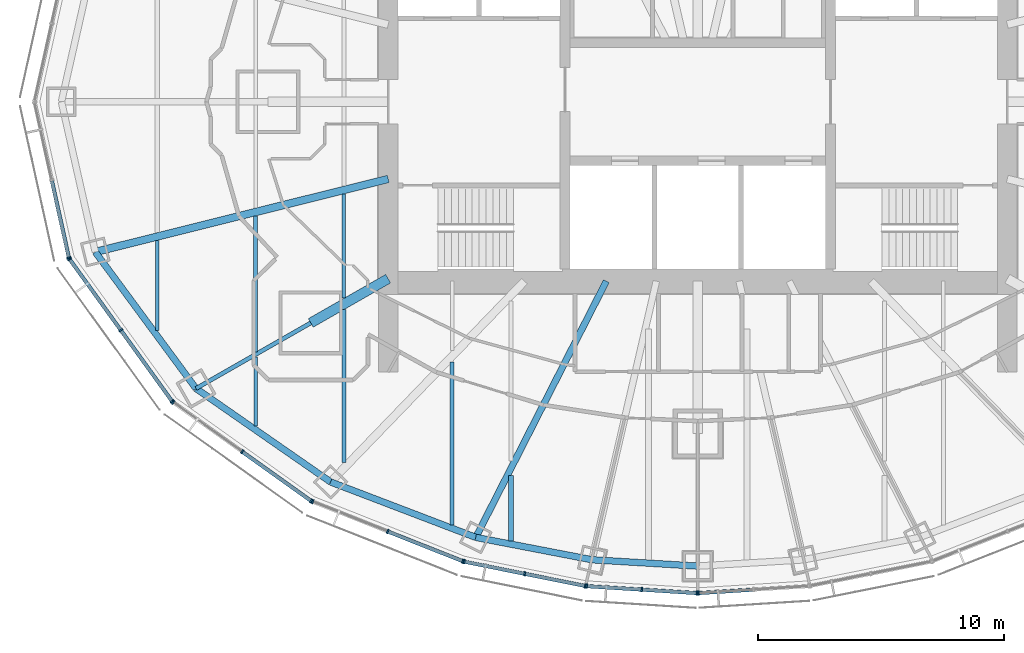
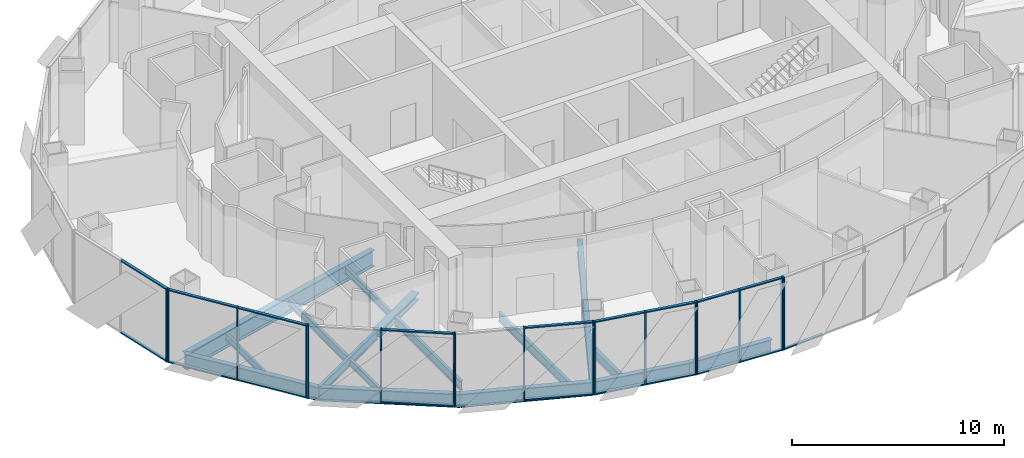
# One storey, part 2 of 19: 36 members, 16 beams, 7 elements without a shape of their own.
"""IFC4 building model written with IfcOpenShell, lengths in metres."""

from ifc_helpers import new_model, si_unit, direction, frame, origin, origin_2d, place, context, subcontext, project, spatial, rectangle, i_section, extrude, material, material_profile, profile_set, type_object, element, aggregate, save


model = new_model("IFC4")

# Units and contexts
model_context = context("Model", 3, precision=1e-05, world=origin(), true_north=direction((0.0, 1.0)))
body_context = subcontext(model_context, "Body", "Model", "MODEL_VIEW")
ifc_project = project(units=[si_unit("LENGTHUNIT", "METRE"), si_unit("AREAUNIT", "SQUARE_METRE"), si_unit("VOLUMEUNIT", "CUBIC_METRE"), si_unit("PLANEANGLEUNIT", "RADIAN"), si_unit("MASSUNIT", "GRAM", prefix="KILO")], contexts=[model_context])

# Site, building, storey
site_placement = place(None, origin())
site = spatial("IfcSite", under=ifc_project, at=site_placement, CompositionType="ELEMENT")
building_placement = place(site_placement, origin())
building = spatial("IfcBuilding", under=site, at=building_placement, Name="Lantaw Convention Tower", CompositionType="ELEMENT")
storey_placement = place(building_placement, frame((0.0, 0.0, 245.199951171875)))
storey = spatial("IfcBuildingStorey", under=building, at=storey_placement, Name="L57", CompositionType="ELEMENT", Elevation=245.199951171875)

# Beams
ifc_material_1 = material(Name="Steel ASTM A992", Category="steel")
ifc_material_profile_1 = material_profile(ifc_material_1, i_section(OverallWidth=0.2666015625, OverallDepth=0.76953125, WebThickness=0.015625, FlangeThickness=0.025390625, FilletRadius=0.0126953125, at=origin_2d()), Name="W30X132")
ifc_profile_set_1 = profile_set([ifc_material_profile_1], Name="Steel ASTM A992")
beam_type_1 = type_object("IfcBeamType", Name="Beam E W30X132", PredefinedType="SPANDREL", material=ifc_profile_set_1)
beam_1_placement = place(storey_placement, frame((-24.52197265625, -6.114013671875, -0.53466796875), z_axis=(0.593639188853, -0.804731329984, 0.0), x_axis=(0.804731329984, 0.593639188853, 0.0)))
element("IfcBeam", 1, at=beam_1_placement, inside=storey, type_object=beam_type_1, Name="Edge beam 14", PredefinedType="SPANDREL", context=body_context, shape_type="SweptSolid", body=[
    extrude(i_section(OverallWidth=0.2666015625, OverallDepth=0.76953125, WebThickness=0.015625, FlangeThickness=0.025390625, FilletRadius=0.0126953125, at=origin_2d()), origin(), (0.0, 0.0, 1.0), 6.904541015625),
])
beam_2_placement = place(storey_placement, frame((-20.423095703125, -11.67041015625, -0.53466796875), z_axis=(0.82135329406, -0.570419815869, 0.0), x_axis=(0.570419815869, 0.82135329406, 0.0)))
element("IfcBeam", 2, at=beam_2_placement, inside=storey, type_object=beam_type_1, Name="Edge beam 15", PredefinedType="SPANDREL", context=body_context, shape_type="SweptSolid", body=[
    extrude(i_section(OverallWidth=0.2666015625, OverallDepth=0.76953125, WebThickness=0.015625, FlangeThickness=0.025390625, FilletRadius=0.0126953125, at=origin_2d()), origin(), (0.0, 0.0, 1.0), 6.67041015625),
])
beam_3_placement = place(storey_placement, frame((-14.9443359375, -15.475341796875, -0.53466796875), z_axis=(0.934234988, -0.356658081637, 0.0), x_axis=(0.356658081637, 0.934234988, 0.0)))
element("IfcBeam", 3, at=beam_3_placement, inside=storey, type_object=beam_type_1, Name="Edge beam 16", PredefinedType="SPANDREL", context=body_context, shape_type="SweptSolid", body=[
    extrude(i_section(OverallWidth=0.2666015625, OverallDepth=0.76953125, WebThickness=0.015625, FlangeThickness=0.025390625, FilletRadius=0.0126953125, at=origin_2d()), origin(), (0.0, 0.0, 1.0), 6.32568359375),
])
beam_4_placement = place(storey_placement, frame((-9.03466796875, -17.7314453125, -0.53466796875), z_axis=(0.981972091702, -0.189025953556, 0.0), x_axis=(0.189025953556, 0.981972091702, 0.0)))
element("IfcBeam", 4, at=beam_4_placement, inside=storey, type_object=beam_type_1, Name="Edge beam 17", PredefinedType="SPANDREL", context=body_context, shape_type="SweptSolid", body=[
    extrude(i_section(OverallWidth=0.2666015625, OverallDepth=0.76953125, WebThickness=0.015625, FlangeThickness=0.025390625, FilletRadius=0.0126953125, at=origin_2d()), origin(), (0.0, 0.0, 1.0), 4.817626953125),
])
beam_5_placement = place(storey_placement, frame((-4.303955078125, -18.64208984375, -0.53466796875), z_axis=(0.998210730897, -0.059794119452, 0.0), x_axis=(0.059794119452, 0.998210730897, 0.0)))
element("IfcBeam", 5, at=beam_5_placement, inside=storey, type_object=beam_type_1, Name="Edge beam 18", PredefinedType="SPANDREL", context=body_context, shape_type="SweptSolid", body=[
    extrude(i_section(OverallWidth=0.2666015625, OverallDepth=0.76953125, WebThickness=0.015625, FlangeThickness=0.025390625, FilletRadius=0.0126953125, at=origin_2d()), origin(), (0.0, 0.0, 1.0), 4.311767578125),
])
ifc_material_profile_2 = material_profile(ifc_material_1, i_section(OverallWidth=0.1650390625, OverallDepth=0.52587890625, WebThickness=0.0087890625, FlangeThickness=0.011474609375, FilletRadius=0.0126953125, at=origin_2d()), Name="W21X44")
ifc_profile_set_2 = profile_set([ifc_material_profile_2], Name="Steel ASTM A992")
beam_type_2 = type_object("IfcBeamType", Name="Beam G W21X44", PredefinedType="BEAM", material=ifc_profile_set_2)
beam_6_placement = place(storey_placement, frame((-15.75, -9.0, -0.412841796875), z_axis=(-0.868237559289, -0.496148708192, 0.0), x_axis=(0.496148708192, -0.868237559289, 0.0)))
element("IfcBeam", 6, at=beam_6_placement, inside=storey, type_object=beam_type_2, Name="Floor girder on ray 15", PredefinedType="BEAM", context=body_context, shape_type="SweptSolid", body=[
    extrude(i_section(OverallWidth=0.1650390625, OverallDepth=0.52587890625, WebThickness=0.0087890625, FlangeThickness=0.011474609375, FilletRadius=0.0126953125, at=origin_2d()), origin(), (0.0, 0.0, 1.0), 5.38232421875),
])
ifc_material_profile_3 = material_profile(ifc_material_1, i_section(OverallWidth=0.2666015625, OverallDepth=0.7568359375, WebThickness=0.013916015625, FlangeThickness=0.019287109375, FilletRadius=0.0126953125, at=origin_2d()), Name="W30X108")
ifc_profile_set_3 = profile_set([ifc_material_profile_3], Name="Steel ASTM A992")
beam_type_3 = type_object("IfcBeamType", Name="Beam G W30X108", PredefinedType="BEAM", material=ifc_profile_set_3)
beam_7_placement = place(storey_placement, frame((-3.719482421875, -7.300048828125, -0.5283203125), z_axis=(-0.4539988787, -0.891002254845, 0.0), x_axis=(0.891002254845, -0.4539988787, 0.0)))
element("IfcBeam", 7, at=beam_7_placement, inside=storey, type_object=beam_type_3, Name="Floor girder on ray 17", PredefinedType="BEAM", context=body_context, shape_type="SweptSolid", body=[
    extrude(i_section(OverallWidth=0.2666015625, OverallDepth=0.7568359375, WebThickness=0.013916015625, FlangeThickness=0.019287109375, FilletRadius=0.0126953125, at=origin_2d()), origin(), (0.0, 0.0, 1.0), 11.70751953125),
])
ifc_material_profile_4 = material_profile(ifc_material_1, i_section(OverallWidth=0.307373046875, OverallDepth=0.9423828125, WebThickness=0.022216796875, FlangeThickness=0.039794921875, FilletRadius=0.0126953125, at=origin_2d()), Name="W36X232")
ifc_profile_set_4 = profile_set([ifc_material_profile_4], Name="Steel ASTM A992")
beam_type_4 = type_object("IfcBeamType", Name="Beam G W36X232", PredefinedType="BEAM", material=ifc_profile_set_4)
beam_8_placement = place(storey_placement, frame((-12.60009765625, -3.1416015625, -0.62109375), z_axis=(-0.970296589314, -0.241918434119, 0.0), x_axis=(0.241918434119, -0.970296589314, 0.0)))
element("IfcBeam", 8, at=beam_8_placement, inside=storey, type_object=beam_type_4, Name="Floor girder on ray 14", PredefinedType="BEAM", context=body_context, shape_type="SweptSolid", body=[
    extrude(i_section(OverallWidth=0.307373046875, OverallDepth=0.9423828125, WebThickness=0.022216796875, FlangeThickness=0.039794921875, FilletRadius=0.0126953125, at=origin_2d()), origin(), (0.0, 0.0, 1.0), 12.286865234375),
])
ifc_material_profile_5 = material_profile(ifc_material_1, i_section(OverallWidth=0.40380859375, OverallDepth=0.406494140625, WebThickness=0.027099609375, FlangeThickness=0.043701171875, FilletRadius=0.01513671875, at=origin_2d()), Name="W14X233")
ifc_profile_set_5 = profile_set([ifc_material_profile_5], Name="Steel ASTM A992")
beam_type_5 = type_object("IfcBeamType", Name="Beam GM W14X233", PredefinedType="BEAM", material=ifc_profile_set_5)
beam_9_placement = place(storey_placement, frame((-12.60009765625, -7.199951171875, -0.353271484375), z_axis=(-0.868230718294, -0.496160679428, 0.0), x_axis=(0.496160679428, -0.868230718294, 0.0)))
element("IfcBeam", 9, at=beam_9_placement, inside=storey, type_object=beam_type_5, Name="Core link beam on ray 15", PredefinedType="BEAM", context=body_context, shape_type="SweptSolid", body=[
    extrude(i_section(OverallWidth=0.40380859375, OverallDepth=0.406494140625, WebThickness=0.027099609375, FlangeThickness=0.043701171875, FilletRadius=0.01513671875, at=origin_2d()), origin(), (0.0, 0.0, 1.0), 3.6279296875),
])
ifc_material_profile_6 = material_profile(ifc_material_1, i_section(OverallWidth=0.140380859375, OverallDepth=0.40380859375, WebThickness=0.007080078125, FlangeThickness=0.01123046875, FilletRadius=0.01025390625, at=origin_2d()), Name="W16X31")
ifc_profile_set_6 = profile_set([ifc_material_profile_6], Name="Steel ASTM A992")
beam_type_6 = type_object("IfcBeamType", Name="Beam J W16X31", PredefinedType="JOIST", material=ifc_profile_set_6)
beam_10_placement = place(storey_placement, frame((-22.0, -9.30810546875, -0.351806640625), z_axis=(0.0, 1.0, 0.0), x_axis=(-1.0, 0.0, 0.0)))
element("IfcBeam", 10, at=beam_10_placement, inside=storey, type_object=beam_type_6, Name="Floor joist", PredefinedType="JOIST", context=body_context, shape_type="SweptSolid", body=[
    extrude(i_section(OverallWidth=0.140380859375, OverallDepth=0.40380859375, WebThickness=0.007080078125, FlangeThickness=0.01123046875, FilletRadius=0.01025390625, at=origin_2d()), origin(), (0.0, 0.0, 1.0), 3.66455078125),
])
beam_11_placement = place(storey_placement, frame((-18.0, -13.19091796875, -0.351806640625), z_axis=(0.0, 1.0, 0.0), x_axis=(-1.0, 0.0, 0.0)))
element("IfcBeam", 11, at=beam_11_placement, inside=storey, type_object=beam_type_6, Name="Floor joist", PredefinedType="JOIST", context=body_context, shape_type="SweptSolid", body=[
    extrude(i_section(OverallWidth=0.140380859375, OverallDepth=0.40380859375, WebThickness=0.007080078125, FlangeThickness=0.01123046875, FilletRadius=0.01025390625, at=origin_2d()), origin(), (0.0, 0.0, 1.0), 2.81005859375),
])
beam_12_placement = place(storey_placement, frame((-14.39990234375, -7.99609375, -0.351806640625), z_axis=(0.0, 1.0, 0.0), x_axis=(-1.0, 0.0, 0.0)))
element("IfcBeam", 12, at=beam_12_placement, inside=storey, type_object=beam_type_6, Name="Floor joist", PredefinedType="JOIST", context=body_context, shape_type="SweptSolid", body=[
    extrude(i_section(OverallWidth=0.140380859375, OverallDepth=0.40380859375, WebThickness=0.007080078125, FlangeThickness=0.01123046875, FilletRadius=0.01025390625, at=origin_2d()), origin(), (0.0, 0.0, 1.0), 4.247314453125),
])
ifc_material_profile_7 = material_profile(ifc_material_1, i_section(OverallWidth=0.15234375, OverallDepth=0.449462890625, WebThickness=0.007568359375, FlangeThickness=0.0107421875, FilletRadius=0.01025390625, at=origin_2d()), Name="W18X35")
ifc_profile_set_7 = profile_set([ifc_material_profile_7], Name="Steel ASTM A992")
beam_type_7 = type_object("IfcBeamType", Name="Beam J W18X35", PredefinedType="JOIST", material=ifc_profile_set_7)
beam_13_placement = place(storey_placement, frame((-18.0, -10.190673828125, -0.374755859375), z_axis=(0.0, 1.0, 0.0), x_axis=(-1.0, 0.0, 0.0)))
element("IfcBeam", 13, at=beam_13_placement, inside=storey, type_object=beam_type_7, Name="Floor joist", PredefinedType="JOIST", context=body_context, shape_type="SweptSolid", body=[
    extrude(i_section(OverallWidth=0.15234375, OverallDepth=0.449462890625, WebThickness=0.007568359375, FlangeThickness=0.0107421875, FilletRadius=0.01025390625, at=origin_2d()), origin(), (0.0, 0.0, 1.0), 5.54443359375),
])
ifc_material_profile_8 = material_profile(ifc_material_1, i_section(OverallWidth=0.1650390625, OverallDepth=0.52587890625, WebThickness=0.0087890625, FlangeThickness=0.011474609375, FilletRadius=0.0126953125, at=origin_2d()), Name="W21X44")
ifc_profile_set_8 = profile_set([ifc_material_profile_8], Name="Steel ASTM A992")
beam_type_8 = type_object("IfcBeamType", Name="Beam J W21X44", PredefinedType="JOIST", material=ifc_profile_set_8)
beam_14_placement = place(storey_placement, frame((-14.39990234375, -14.67578125, -0.412841796875), z_axis=(0.0, 1.0, 0.0), x_axis=(-1.0, 0.0, 0.0)))
element("IfcBeam", 14, at=beam_14_placement, inside=storey, type_object=beam_type_8, Name="Floor joist", PredefinedType="JOIST", context=body_context, shape_type="SweptSolid", body=[
    extrude(i_section(OverallWidth=0.1650390625, OverallDepth=0.52587890625, WebThickness=0.0087890625, FlangeThickness=0.011474609375, FilletRadius=0.0126953125, at=origin_2d()), origin(), (0.0, 0.0, 1.0), 6.214599609375),
])
beam_15_placement = place(storey_placement, frame((-10.0, -17.22021484375, -0.412841796875), z_axis=(0.0, 1.0, 0.0), x_axis=(-1.0, 0.0, 0.0)))
element("IfcBeam", 15, at=beam_15_placement, inside=storey, type_object=beam_type_8, Name="Floor joist", PredefinedType="JOIST", context=body_context, shape_type="SweptSolid", body=[
    extrude(i_section(OverallWidth=0.1650390625, OverallDepth=0.52587890625, WebThickness=0.0087890625, FlangeThickness=0.011474609375, FilletRadius=0.0126953125, at=origin_2d()), origin(), (0.0, 0.0, 1.0), 6.629150390625),
])
ifc_material_profile_9 = material_profile(ifc_material_1, i_section(OverallWidth=0.2099609375, OverallDepth=0.535888671875, WebThickness=0.010986328125, FlangeThickness=0.017333984375, FilletRadius=0.012939453125, at=origin_2d()), Name="W21X68")
ifc_profile_set_9 = profile_set([ifc_material_profile_9], Name="Steel ASTM A992")
beam_type_9 = type_object("IfcBeamType", Name="Beam J W21X68", PredefinedType="JOIST", material=ifc_profile_set_9)
beam_16_placement = place(storey_placement, frame((-7.60009765625, -17.871826171875, -0.41796875), z_axis=(0.0, 1.0, 0.0), x_axis=(-1.0, 0.0, 0.0)))
element("IfcBeam", 16, at=beam_16_placement, inside=storey, type_object=beam_type_9, Name="Floor joist", PredefinedType="JOIST", context=body_context, shape_type="SweptSolid", body=[
    extrude(i_section(OverallWidth=0.2099609375, OverallDepth=0.535888671875, WebThickness=0.010986328125, FlangeThickness=0.017333984375, FilletRadius=0.012939453125, at=origin_2d()), origin(), (0.0, 0.0, 1.0), 2.662353515625),
])

# Curtain wall, member
ifc_material_2 = material(Name="Aluminium framed curtain wall", Category="aluminium")
curtain_wall_type = type_object("IfcCurtainWallType", Name="Office curtain wall high rise, pale aluminium", PredefinedType="USERDEFINED", material=ifc_material_2)
curtain_wall_1_placement = place(storey_placement, origin())
curtain_wall_1 = element("IfcCurtainWall", 17, at=curtain_wall_1_placement, inside=storey, type_object=curtain_wall_type, Name="Office curtain wall high rise, pale aluminium L57", ObjectType="UNITISED CURTAIN WALL", PredefinedType="USERDEFINED")
ifc_material_3 = material(Name="Aluminium 6063-T6", Category="aluminium")
ifc_material_profile_10 = material_profile(ifc_material_3, rectangle(XDim=0.179931640625, YDim=0.06494140625, at=origin_2d()), Name="CW-O2 mullion 65x180")
ifc_profile_set_10 = profile_set([ifc_material_profile_10], Name="Aluminium 6063-T6")
member_type_1 = type_object("IfcMemberType", Name="CW-O2 mullion 65x180", PredefinedType="MULLION", material=ifc_profile_set_10)
member_1_placement = place(storey_placement, frame((-25.596435546875, -6.348388671875, -0.14990234375), z_axis=(0.0, 0.0, 1.0), x_axis=(0.976417396437, 0.215891333626, 0.0)))
member_1 = element("IfcMember", 18, at=member_1_placement, type_object=member_type_1, Name="CW-O2 mullion 3", PredefinedType="MULLION", context=body_context, shape_type="SweptSolid", body=[
    extrude(rectangle(XDim=0.179931640625, YDim=0.06494140625, at=origin_2d()), origin(), (0.0, 0.0, 1.0), 4.199951171875),
])

# Curtain wall, members
curtain_wall_2_placement = place(storey_placement, origin())
curtain_wall_2 = element("IfcCurtainWall", 19, at=curtain_wall_2_placement, inside=storey, type_object=curtain_wall_type, Name="Office curtain wall high rise, pale aluminium L57", ObjectType="UNITISED CURTAIN WALL", PredefinedType="USERDEFINED")
member_2_placement = place(storey_placement, frame((-25.5703125, -6.406494140625, -0.14990234375), z_axis=(0.0, 0.0, 1.0), x_axis=(0.810919559405, 0.585157643865, 0.0)))
member_2 = element("IfcMember", 20, at=member_2_placement, type_object=member_type_1, Name="CW-O2 mullion 1", PredefinedType="MULLION", context=body_context, shape_type="SweptSolid", body=[
    extrude(rectangle(XDim=0.179931640625, YDim=0.06494140625, at=origin_2d()), origin(), (0.0, 0.0, 1.0), 4.199951171875),
])
member_3_placement = place(storey_placement, frame((-23.483642578125, -9.298095703125, -0.14990234375), z_axis=(0.0, 0.0, 1.0), x_axis=(0.810919559405, 0.585157643865, 0.0)))
member_3 = element("IfcMember", 21, at=member_3_placement, type_object=member_type_1, Name="CW-O2 mullion 2", PredefinedType="MULLION", context=body_context, shape_type="SweptSolid", body=[
    extrude(rectangle(XDim=0.179931640625, YDim=0.06494140625, at=origin_2d()), origin(), (0.0, 0.0, 1.0), 4.199951171875),
])
member_4_placement = place(storey_placement, frame((-21.397216796875, -12.189697265625, -0.14990234375), z_axis=(0.0, 0.0, 1.0), x_axis=(0.810919559405, 0.585157643865, 0.0)))
member_4 = element("IfcMember", 22, at=member_4_placement, type_object=member_type_1, Name="CW-O2 mullion 3", PredefinedType="MULLION", context=body_context, shape_type="SweptSolid", body=[
    extrude(rectangle(XDim=0.179931640625, YDim=0.06494140625, at=origin_2d()), origin(), (0.0, 0.0, 1.0), 4.199951171875),
])

curtain_wall_3_placement = place(storey_placement, origin())
curtain_wall_3 = element("IfcCurtainWall", 23, at=curtain_wall_3_placement, inside=storey, type_object=curtain_wall_type, Name="Office curtain wall high rise, pale aluminium L57", ObjectType="UNITISED CURTAIN WALL", PredefinedType="USERDEFINED")
member_5_placement = place(storey_placement, frame((-21.3515625, -12.23486328125, -0.14990234375), z_axis=(0.0, 0.0, 1.0), x_axis=(0.581323487281, 0.813672540482, 0.0)))
member_5 = element("IfcMember", 24, at=member_5_placement, type_object=member_type_1, Name="CW-O2 mullion 1", PredefinedType="MULLION", context=body_context, shape_type="SweptSolid", body=[
    extrude(rectangle(XDim=0.179931640625, YDim=0.06494140625, at=origin_2d()), origin(), (0.0, 0.0, 1.0), 4.199951171875),
])
member_6_placement = place(storey_placement, frame((-18.543212890625, -14.241455078125, -0.14990234375), z_axis=(0.0, 0.0, 1.0), x_axis=(0.581323487281, 0.813672540482, 0.0)))
member_6 = element("IfcMember", 25, at=member_6_placement, type_object=member_type_1, Name="CW-O2 mullion 2", PredefinedType="MULLION", context=body_context, shape_type="SweptSolid", body=[
    extrude(rectangle(XDim=0.179931640625, YDim=0.06494140625, at=origin_2d()), origin(), (0.0, 0.0, 1.0), 4.199951171875),
])
member_7_placement = place(storey_placement, frame((-15.73486328125, -16.247802734375, -0.14990234375), z_axis=(0.0, 0.0, 1.0), x_axis=(0.581323487281, 0.813672540482, 0.0)))
member_7 = element("IfcMember", 26, at=member_7_placement, type_object=member_type_1, Name="CW-O2 mullion 3", PredefinedType="MULLION", context=body_context, shape_type="SweptSolid", body=[
    extrude(rectangle(XDim=0.179931640625, YDim=0.06494140625, at=origin_2d()), origin(), (0.0, 0.0, 1.0), 4.199951171875),
])

curtain_wall_4_placement = place(storey_placement, origin())
curtain_wall_4 = element("IfcCurtainWall", 27, at=curtain_wall_4_placement, inside=storey, type_object=curtain_wall_type, Name="Office curtain wall high rise, pale aluminium L57", ObjectType="UNITISED CURTAIN WALL", PredefinedType="USERDEFINED")
member_8_placement = place(storey_placement, frame((-15.67822265625, -16.278564453125, -0.14990234375), z_axis=(0.0, 0.0, 1.0), x_axis=(0.368162315252, 0.929761533743, 0.0)))
member_8 = element("IfcMember", 28, at=member_8_placement, type_object=member_type_1, Name="CW-O2 mullion 1", PredefinedType="MULLION", context=body_context, shape_type="SweptSolid", body=[
    extrude(rectangle(XDim=0.179931640625, YDim=0.06494140625, at=origin_2d()), origin(), (0.0, 0.0, 1.0), 4.199951171875),
])
member_9_placement = place(storey_placement, frame((-12.621337890625, -17.4892578125, -0.14990234375), z_axis=(0.0, 0.0, 1.0), x_axis=(0.368162315252, 0.929761533743, 0.0)))
member_9 = element("IfcMember", 29, at=member_9_placement, type_object=member_type_1, Name="CW-O2 mullion 2", PredefinedType="MULLION", context=body_context, shape_type="SweptSolid", body=[
    extrude(rectangle(XDim=0.179931640625, YDim=0.06494140625, at=origin_2d()), origin(), (0.0, 0.0, 1.0), 4.199951171875),
])
member_10_placement = place(storey_placement, frame((-9.564208984375, -18.69970703125, -0.14990234375), z_axis=(0.0, 0.0, 1.0), x_axis=(0.368162315252, 0.929761533743, 0.0)))
member_10 = element("IfcMember", 30, at=member_10_placement, type_object=member_type_1, Name="CW-O2 mullion 3", PredefinedType="MULLION", context=body_context, shape_type="SweptSolid", body=[
    extrude(rectangle(XDim=0.179931640625, YDim=0.06494140625, at=origin_2d()), origin(), (0.0, 0.0, 1.0), 4.199951171875),
])

curtain_wall_5_placement = place(storey_placement, origin())
curtain_wall_5 = element("IfcCurtainWall", 31, at=curtain_wall_5_placement, inside=storey, type_object=curtain_wall_type, Name="Office curtain wall high rise, pale aluminium L57", ObjectType="UNITISED CURTAIN WALL", PredefinedType="USERDEFINED")
member_11_placement = place(storey_placement, frame((-9.502197265625, -18.718017578125, -0.14990234375), z_axis=(0.0, 0.0, 1.0), x_axis=(0.197183095987, 0.980366679695, 0.0)))
member_11 = element("IfcMember", 32, at=member_11_placement, type_object=member_type_1, Name="CW-O2 mullion 1", PredefinedType="MULLION", context=body_context, shape_type="SweptSolid", body=[
    extrude(rectangle(XDim=0.179931640625, YDim=0.06494140625, at=origin_2d()), origin(), (0.0, 0.0, 1.0), 4.199951171875),
])
member_12_placement = place(storey_placement, frame((-7.042724609375, -19.212646484375, -0.14990234375), z_axis=(0.0, 0.0, 1.0), x_axis=(0.197183095987, 0.980366679695, 0.0)))
member_12 = element("IfcMember", 33, at=member_12_placement, type_object=member_type_1, Name="CW-O2 mullion 2", PredefinedType="MULLION", context=body_context, shape_type="SweptSolid", body=[
    extrude(rectangle(XDim=0.179931640625, YDim=0.06494140625, at=origin_2d()), origin(), (0.0, 0.0, 1.0), 4.199951171875),
])
member_13_placement = place(storey_placement, frame((-4.583251953125, -19.70751953125, -0.14990234375), z_axis=(0.0, 0.0, 1.0), x_axis=(0.197183095987, 0.980366679695, 0.0)))
member_13 = element("IfcMember", 34, at=member_13_placement, type_object=member_type_1, Name="CW-O2 mullion 3", PredefinedType="MULLION", context=body_context, shape_type="SweptSolid", body=[
    extrude(rectangle(XDim=0.179931640625, YDim=0.06494140625, at=origin_2d()), origin(), (0.0, 0.0, 1.0), 4.199951171875),
])

curtain_wall_6_placement = place(storey_placement, origin())
curtain_wall_6 = element("IfcCurtainWall", 35, at=curtain_wall_6_placement, inside=storey, type_object=curtain_wall_type, Name="Office curtain wall high rise, pale aluminium L57", ObjectType="UNITISED CURTAIN WALL", PredefinedType="USERDEFINED")
member_14_placement = place(storey_placement, frame((-4.518798828125, -19.7158203125, -0.14990234375), z_axis=(0.0, 0.0, 1.0), x_axis=(0.062757983884, 0.998028774865, 0.0)))
member_14 = element("IfcMember", 36, at=member_14_placement, type_object=member_type_1, Name="CW-O2 mullion 1", PredefinedType="MULLION", context=body_context, shape_type="SweptSolid", body=[
    extrude(rectangle(XDim=0.179931640625, YDim=0.06494140625, at=origin_2d()), origin(), (0.0, 0.0, 1.0), 4.199951171875),
])
member_15_placement = place(storey_placement, frame((-2.275634765625, -19.85693359375, -0.14990234375), z_axis=(0.0, 0.0, 1.0), x_axis=(0.062757983884, 0.998028774865, 0.0)))
member_15 = element("IfcMember", 37, at=member_15_placement, type_object=member_type_1, Name="CW-O2 mullion 2", PredefinedType="MULLION", context=body_context, shape_type="SweptSolid", body=[
    extrude(rectangle(XDim=0.179931640625, YDim=0.06494140625, at=origin_2d()), origin(), (0.0, 0.0, 1.0), 4.199951171875),
])
member_16_placement = place(storey_placement, frame((-0.032470703125, -19.998046875, -0.14990234375), z_axis=(0.0, 0.0, 1.0), x_axis=(0.062757983884, 0.998028774865, 0.0)))
member_16 = element("IfcMember", 38, at=member_16_placement, type_object=member_type_1, Name="CW-O2 mullion 3", PredefinedType="MULLION", context=body_context, shape_type="SweptSolid", body=[
    extrude(rectangle(XDim=0.179931640625, YDim=0.06494140625, at=origin_2d()), origin(), (0.0, 0.0, 1.0), 4.199951171875),
])

# Curtain wall, member
curtain_wall_7_placement = place(storey_placement, origin())
curtain_wall_7 = element("IfcCurtainWall", 39, at=curtain_wall_7_placement, inside=storey, type_object=curtain_wall_type, Name="Office curtain wall high rise, pale aluminium L57", ObjectType="UNITISED CURTAIN WALL", PredefinedType="USERDEFINED")
member_17_placement = place(storey_placement, frame((0.032470703125, -19.998046875, -0.14990234375), z_axis=(0.0, 0.0, 1.0), x_axis=(-0.062757983884, 0.998028774865, 0.0)))
member_17 = element("IfcMember", 40, at=member_17_placement, type_object=member_type_1, Name="CW-O2 mullion 1", PredefinedType="MULLION", context=body_context, shape_type="SweptSolid", body=[
    extrude(rectangle(XDim=0.179931640625, YDim=0.06494140625, at=origin_2d()), origin(), (0.0, 0.0, 1.0), 4.199951171875),
])

# Member
ifc_material_profile_11 = material_profile(ifc_material_3, rectangle(XDim=0.14990234375, YDim=0.06494140625, at=origin_2d()), Name="CW-O2 transom 65x150")
ifc_profile_set_11 = profile_set([ifc_material_profile_11], Name="Aluminium 6063-T6")
member_type_2 = type_object("IfcMemberType", Name="CW-O2 transom 65x150", PredefinedType="USERDEFINED", material=ifc_profile_set_11)
member_18_placement = place(storey_placement, frame((-26.28759765625, -3.2216796875, -0.117431640625), z_axis=(0.215894607042, -0.976416672661, 0.0), x_axis=(0.976416672661, 0.215894607042, 0.0)))
member_18 = element("IfcMember", 41, at=member_18_placement, type_object=member_type_2, Name="CW-O2 transom 2.1", ObjectType="TRANSOM", PredefinedType="USERDEFINED", context=body_context, shape_type="SweptSolid", body=[
    extrude(rectangle(XDim=0.14990234375, YDim=0.06494140625, at=origin_2d()), origin(), (0.0, 0.0, 1.0), 3.169677734375),
])

member_19_placement = place(storey_placement, frame((-26.28759765625, -3.2216796875, 4.017578125), z_axis=(0.215894607042, -0.976416672661, 0.0), x_axis=(0.976416672661, 0.215894607042, 0.0)))
member_19 = element("IfcMember", 42, at=member_19_placement, type_object=member_type_2, Name="CW-O2 transom 2.2", ObjectType="TRANSOM", PredefinedType="USERDEFINED", context=body_context, shape_type="SweptSolid", body=[
    extrude(rectangle(XDim=0.14990234375, YDim=0.06494140625, at=origin_2d()), origin(), (0.0, 0.0, 1.0), 3.169677734375),
])

aggregate(curtain_wall_1, [member_1, member_18, member_19])

member_20_placement = place(storey_placement, frame((-25.55126953125, -6.432861328125, -0.117431640625), z_axis=(0.585169685931, -0.810910869743, 0.0), x_axis=(0.810910869743, 0.585169685931, 0.0)))
member_20 = element("IfcMember", 43, at=member_20_placement, type_object=member_type_2, Name="CW-O2 transom 1.1", ObjectType="TRANSOM", PredefinedType="USERDEFINED", context=body_context, shape_type="SweptSolid", body=[
    extrude(rectangle(XDim=0.14990234375, YDim=0.06494140625, at=origin_2d()), origin(), (0.0, 0.0, 1.0), 3.500732421875),
])

member_21_placement = place(storey_placement, frame((-25.55126953125, -6.432861328125, 4.017578125), z_axis=(0.585169685931, -0.810910869743, 0.0), x_axis=(0.810910869743, 0.585169685931, 0.0)))
member_21 = element("IfcMember", 44, at=member_21_placement, type_object=member_type_2, Name="CW-O2 transom 1.2", ObjectType="TRANSOM", PredefinedType="USERDEFINED", context=body_context, shape_type="SweptSolid", body=[
    extrude(rectangle(XDim=0.14990234375, YDim=0.06494140625, at=origin_2d()), origin(), (0.0, 0.0, 1.0), 3.500732421875),
])

member_22_placement = place(storey_placement, frame((-23.464599609375, -9.324462890625, -0.117431640625), z_axis=(0.585123825205, -0.810943961798, 0.0), x_axis=(0.810943961798, 0.585123825205, 0.0)))
member_22 = element("IfcMember", 45, at=member_22_placement, type_object=member_type_2, Name="CW-O2 transom 2.1", ObjectType="TRANSOM", PredefinedType="USERDEFINED", context=body_context, shape_type="SweptSolid", body=[
    extrude(rectangle(XDim=0.14990234375, YDim=0.06494140625, at=origin_2d()), origin(), (0.0, 0.0, 1.0), 3.500732421875),
])

member_23_placement = place(storey_placement, frame((-23.464599609375, -9.324462890625, 4.017578125), z_axis=(0.585123825205, -0.810943961798, 0.0), x_axis=(0.810943961798, 0.585123825205, 0.0)))
member_23 = element("IfcMember", 46, at=member_23_placement, type_object=member_type_2, Name="CW-O2 transom 2.2", ObjectType="TRANSOM", PredefinedType="USERDEFINED", context=body_context, shape_type="SweptSolid", body=[
    extrude(rectangle(XDim=0.14990234375, YDim=0.06494140625, at=origin_2d()), origin(), (0.0, 0.0, 1.0), 3.500732421875),
])

aggregate(curtain_wall_2, [member_2, member_3, member_4, member_20, member_21, member_22, member_23])

member_24_placement = place(storey_placement, frame((-18.516845703125, -14.26025390625, -0.117431640625), z_axis=(0.813645780821, -0.581360940683, 0.0), x_axis=(0.581360940683, 0.813645780821, 0.0)))
member_24 = element("IfcMember", 47, at=member_24_placement, type_object=member_type_2, Name="CW-O2 transom 2.1", ObjectType="TRANSOM", PredefinedType="USERDEFINED", context=body_context, shape_type="SweptSolid", body=[
    extrude(rectangle(XDim=0.14990234375, YDim=0.06494140625, at=origin_2d()), origin(), (0.0, 0.0, 1.0), 3.386474609375),
])

member_25_placement = place(storey_placement, frame((-18.516845703125, -14.26025390625, 4.017578125), z_axis=(0.813645780821, -0.581360940683, 0.0), x_axis=(0.581360940683, 0.813645780821, 0.0)))
member_25 = element("IfcMember", 48, at=member_25_placement, type_object=member_type_2, Name="CW-O2 transom 2.2", ObjectType="TRANSOM", PredefinedType="USERDEFINED", context=body_context, shape_type="SweptSolid", body=[
    extrude(rectangle(XDim=0.14990234375, YDim=0.06494140625, at=origin_2d()), origin(), (0.0, 0.0, 1.0), 3.386474609375),
])

aggregate(curtain_wall_3, [member_5, member_6, member_7, member_24, member_25])

member_26_placement = place(storey_placement, frame((-12.591064453125, -17.501220703125, -0.117431640625), z_axis=(0.929766642946, -0.368149412149, 0.0), x_axis=(0.368149412149, 0.929766642946, 0.0)))
member_26 = element("IfcMember", 49, at=member_26_placement, type_object=member_type_2, Name="CW-O2 transom 2.1", ObjectType="TRANSOM", PredefinedType="USERDEFINED", context=body_context, shape_type="SweptSolid", body=[
    extrude(rectangle(XDim=0.14990234375, YDim=0.06494140625, at=origin_2d()), origin(), (0.0, 0.0, 1.0), 3.222900390625),
])

member_27_placement = place(storey_placement, frame((-12.591064453125, -17.501220703125, 4.017578125), z_axis=(0.929766642946, -0.368149412149, 0.0), x_axis=(0.368149412149, 0.929766642946, 0.0)))
member_27 = element("IfcMember", 50, at=member_27_placement, type_object=member_type_2, Name="CW-O2 transom 2.2", ObjectType="TRANSOM", PredefinedType="USERDEFINED", context=body_context, shape_type="SweptSolid", body=[
    extrude(rectangle(XDim=0.14990234375, YDim=0.06494140625, at=origin_2d()), origin(), (0.0, 0.0, 1.0), 3.222900390625),
])

aggregate(curtain_wall_4, [member_8, member_9, member_10, member_26, member_27])

member_28_placement = place(storey_placement, frame((-9.47021484375, -18.724365234375, -0.117431640625), z_axis=(0.98036104319, -0.197211117829, 0.0), x_axis=(0.197211117829, 0.98036104319, 0.0)))
member_28 = element("IfcMember", 51, at=member_28_placement, type_object=member_type_2, Name="CW-O2 transom 1.1", ObjectType="TRANSOM", PredefinedType="USERDEFINED", context=body_context, shape_type="SweptSolid", body=[
    extrude(rectangle(XDim=0.14990234375, YDim=0.06494140625, at=origin_2d()), origin(), (0.0, 0.0, 1.0), 2.44384765625),
])

member_29_placement = place(storey_placement, frame((-9.47021484375, -18.724365234375, 4.017578125), z_axis=(0.98036104319, -0.197211117829, 0.0), x_axis=(0.197211117829, 0.98036104319, 0.0)))
member_29 = element("IfcMember", 52, at=member_29_placement, type_object=member_type_2, Name="CW-O2 transom 1.2", ObjectType="TRANSOM", PredefinedType="USERDEFINED", context=body_context, shape_type="SweptSolid", body=[
    extrude(rectangle(XDim=0.14990234375, YDim=0.06494140625, at=origin_2d()), origin(), (0.0, 0.0, 1.0), 2.44384765625),
])

member_30_placement = place(storey_placement, frame((-7.0107421875, -19.21923828125, -0.117431640625), z_axis=(0.980380354178, -0.197115096178, 0.0), x_axis=(0.197115096178, 0.980380354178, 0.0)))
member_30 = element("IfcMember", 53, at=member_30_placement, type_object=member_type_2, Name="CW-O2 transom 2.1", ObjectType="TRANSOM", PredefinedType="USERDEFINED", context=body_context, shape_type="SweptSolid", body=[
    extrude(rectangle(XDim=0.14990234375, YDim=0.06494140625, at=origin_2d()), origin(), (0.0, 0.0, 1.0), 2.443603515625),
])

member_31_placement = place(storey_placement, frame((-7.0107421875, -19.21923828125, 4.017578125), z_axis=(0.980380354178, -0.197115096178, 0.0), x_axis=(0.197115096178, 0.980380354178, 0.0)))
member_31 = element("IfcMember", 54, at=member_31_placement, type_object=member_type_2, Name="CW-O2 transom 2.2", ObjectType="TRANSOM", PredefinedType="USERDEFINED", context=body_context, shape_type="SweptSolid", body=[
    extrude(rectangle(XDim=0.14990234375, YDim=0.06494140625, at=origin_2d()), origin(), (0.0, 0.0, 1.0), 2.443603515625),
])

aggregate(curtain_wall_5, [member_11, member_12, member_13, member_28, member_29, member_30, member_31])

member_32_placement = place(storey_placement, frame((-4.486328125, -19.7177734375, -0.117431640625), z_axis=(0.998021991509, -0.062865765437, 0.0), x_axis=(0.062865765437, 0.998021991509, 0.0)))
member_32 = element("IfcMember", 55, at=member_32_placement, type_object=member_type_2, Name="CW-O2 transom 1.1", ObjectType="TRANSOM", PredefinedType="USERDEFINED", context=body_context, shape_type="SweptSolid", body=[
    extrude(rectangle(XDim=0.14990234375, YDim=0.06494140625, at=origin_2d()), origin(), (0.0, 0.0, 1.0), 2.1826171875),
])

member_33_placement = place(storey_placement, frame((-4.486328125, -19.7177734375, 4.017578125), z_axis=(0.998021991509, -0.062865765437, 0.0), x_axis=(0.062865765437, 0.998021991509, 0.0)))
member_33 = element("IfcMember", 56, at=member_33_placement, type_object=member_type_2, Name="CW-O2 transom 1.2", ObjectType="TRANSOM", PredefinedType="USERDEFINED", context=body_context, shape_type="SweptSolid", body=[
    extrude(rectangle(XDim=0.14990234375, YDim=0.06494140625, at=origin_2d()), origin(), (0.0, 0.0, 1.0), 2.1826171875),
])

member_34_placement = place(storey_placement, frame((-2.2431640625, -19.85888671875, -0.117431640625), z_axis=(0.998029003644, -0.062754345555, 0.0), x_axis=(0.062754345555, 0.998029003644, 0.0)))
member_34 = element("IfcMember", 57, at=member_34_placement, type_object=member_type_2, Name="CW-O2 transom 2.1", ObjectType="TRANSOM", PredefinedType="USERDEFINED", context=body_context, shape_type="SweptSolid", body=[
    extrude(rectangle(XDim=0.14990234375, YDim=0.06494140625, at=origin_2d()), origin(), (0.0, 0.0, 1.0), 2.1826171875),
])

member_35_placement = place(storey_placement, frame((-2.2431640625, -19.85888671875, 4.017578125), z_axis=(0.998029003644, -0.062754345555, 0.0), x_axis=(0.062754345555, 0.998029003644, 0.0)))
member_35 = element("IfcMember", 58, at=member_35_placement, type_object=member_type_2, Name="CW-O2 transom 2.2", ObjectType="TRANSOM", PredefinedType="USERDEFINED", context=body_context, shape_type="SweptSolid", body=[
    extrude(rectangle(XDim=0.14990234375, YDim=0.06494140625, at=origin_2d()), origin(), (0.0, 0.0, 1.0), 2.1826171875),
])

aggregate(curtain_wall_6, [member_14, member_15, member_16, member_32, member_33, member_34, member_35])

member_36_placement = place(storey_placement, frame((0.06494140625, -19.995849609375, -0.117431640625), z_axis=(0.998029003644, 0.062754345555, 0.0), x_axis=(-0.062754345555, 0.998029003644, 0.0)))
member_36 = element("IfcMember", 59, at=member_36_placement, type_object=member_type_2, Name="CW-O2 transom 1.1", ObjectType="TRANSOM", PredefinedType="USERDEFINED", context=body_context, shape_type="SweptSolid", body=[
    extrude(rectangle(XDim=0.14990234375, YDim=0.06494140625, at=origin_2d()), origin(), (0.0, 0.0, 1.0), 2.1826171875),
])

aggregate(curtain_wall_7, [member_17, member_36])

save(model, "model.ifc")
